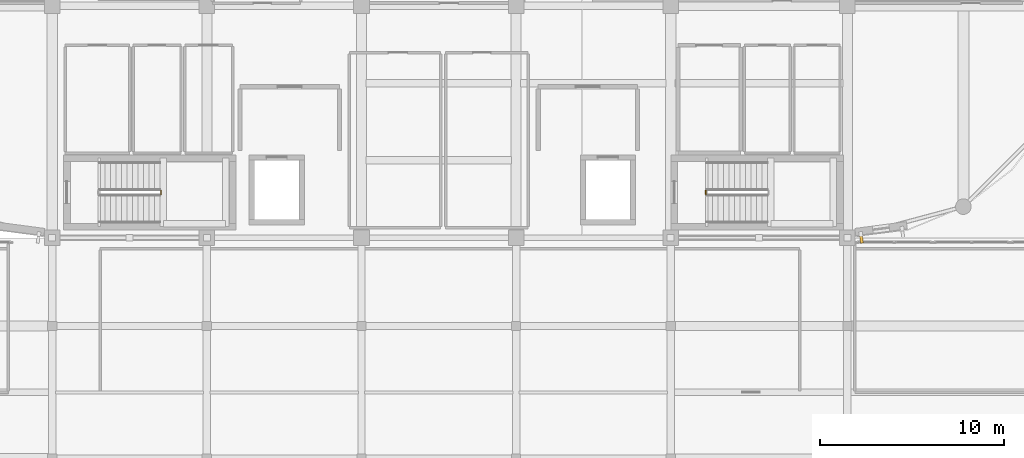
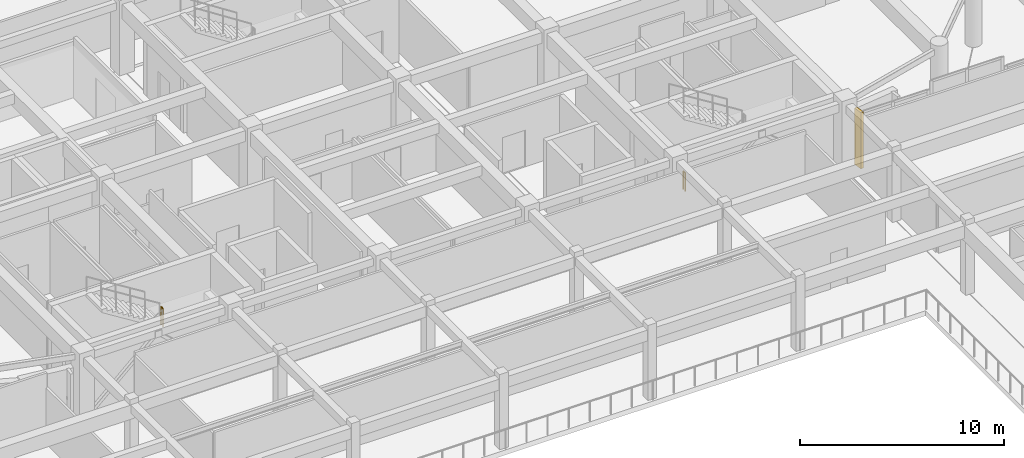
# One storey, part 88 of 92: 2 railings, 1 covering.
"""IFC4 building model written with IfcOpenShell, lengths in metres."""

from ifc_helpers import new_model, si_unit, direction, frame, origin, origin_2d, place, context, subcontext, project, spatial, rectangle, circle, extrude, material, layer, layer_set, type_object, element, save


model = new_model("IFC4")

# Units and contexts
model_context = context("Model", 3, precision=1e-05, world=origin(), true_north=direction((0.0, 1.0)))
body_context = subcontext(model_context, "Body", "Model", "MODEL_VIEW")
ifc_project = project(units=[si_unit("LENGTHUNIT", "METRE"), si_unit("AREAUNIT", "SQUARE_METRE"), si_unit("VOLUMEUNIT", "CUBIC_METRE"), si_unit("PLANEANGLEUNIT", "RADIAN"), si_unit("MASSUNIT", "GRAM", prefix="KILO")], contexts=[model_context])

# Site, building, storey
site_placement = place(None, origin())
site = spatial("IfcSite", under=ifc_project, at=site_placement, CompositionType="ELEMENT")
building_placement = place(site_placement, origin())
building = spatial("IfcBuilding", under=site, at=building_placement, Name="Tarnavel Promenade Courthouse", CompositionType="ELEMENT")
storey_placement = place(building_placement, frame((0.0, 0.0, 5.39990234375)))
storey = spatial("IfcBuildingStorey", under=building, at=storey_placement, Name="L02", CompositionType="ELEMENT", Elevation=5.39990234375)

# Railings
ifc_material_1 = material(Name="Painted Architectural Steel Core Stair Guardrail", Category="steel")
railing_type = type_object("IfcRailingType", Name="Painted Architectural Steel Core Stair Guardrail (RL-GRD-1100)", PredefinedType="GUARDRAIL", material=ifc_material_1)
for number, where, name in (
    (1, (64.7099609375, 81.56005859375, 2.25), "L02 ST-01 stair guard 2"),
    (2, (94.31005859375, 81.56005859375, 0.0), "L02 ST-02 stair guard 4"),
):
    element("IfcRailing", number, at=place(storey_placement, frame(where)), inside=storey, type_object=railing_type, Name=name, PredefinedType="GUARDRAIL", context=body_context, shape_type="SweptSolid", body=[
        extrude(circle(Radius=0.02392578125, at=origin_2d()), frame((0.0, 0.0, 1.076171875), z_axis=(0.0, 1.0, 0.0), x_axis=(-1.0, 0.0, 0.0)), (0.0, 0.0, 1.0), 0.199951171875),
        extrude(circle(Radius=0.02099609375, at=origin_2d()), origin(), (0.0, 0.0, 1.0), 1.052001953125),
        extrude(circle(Radius=0.02099609375, at=origin_2d()), frame((0.0, 0.199951171875, 0.0)), (0.0, 0.0, 1.0), 1.052001953125),
    ])

# Covering
ifc_material_2 = material(Name="Patinated Copper-Bronze Fluted Pier Cladding")
ifc_layer = layer(ifc_material_2, 0.52001953125)
ifc_layer_set = layer_set([ifc_layer], Name="Patinated Copper-Bronze Fluted Pier Cladding")
covering_type = type_object("IfcCoveringType", Name="Patinated Copper-Bronze Fluted Pier Cladding COV-PIER-520 (520 mm)", PredefinedType="CLADDING", material=ifc_layer_set)
covering_placement = place(storey_placement, frame((102.7568359375, 79.158447265625, 0.0), z_axis=(0.0, 0.0, 1.0), x_axis=(0.991444861374, 0.13052619222, 0.0)))
element("IfcCovering", 3, at=covering_placement, inside=storey, type_object=covering_type, Name="L02 E Drum Fluted Copper Pier 0051", PredefinedType="CLADDING", context=body_context, shape_type="SweptSolid", body=[
    extrude(rectangle(XDim=0.159912109375, YDim=0.52001953125, at=origin_2d()), origin(), (0.0, 0.0, 1.0), 3.3701171875),
])

save(model, "model.ifc")
